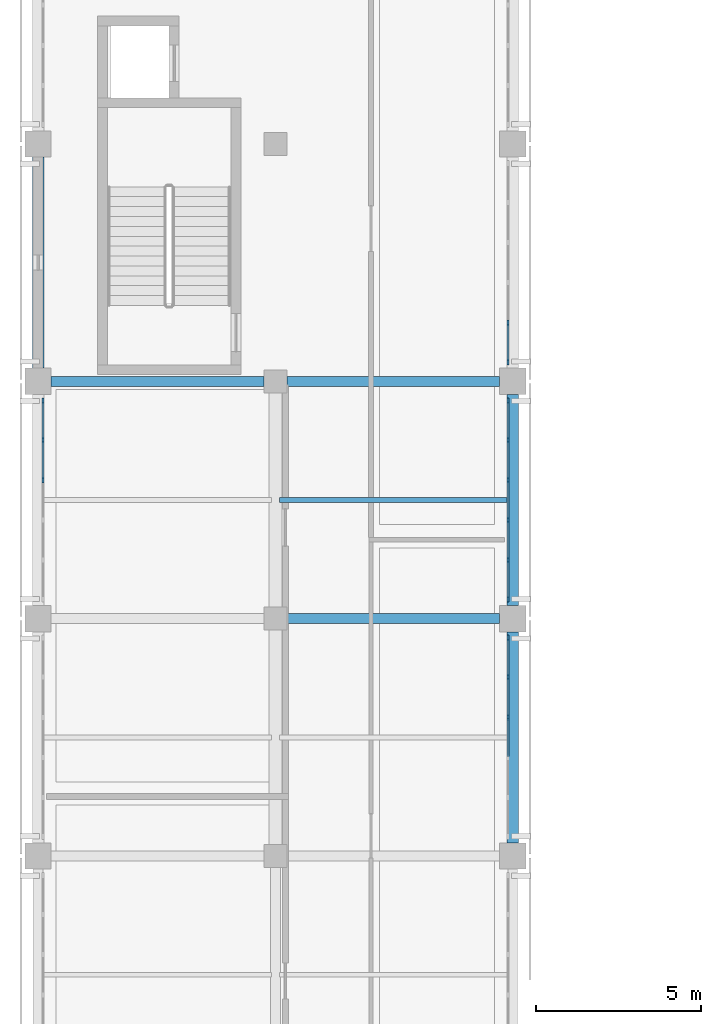
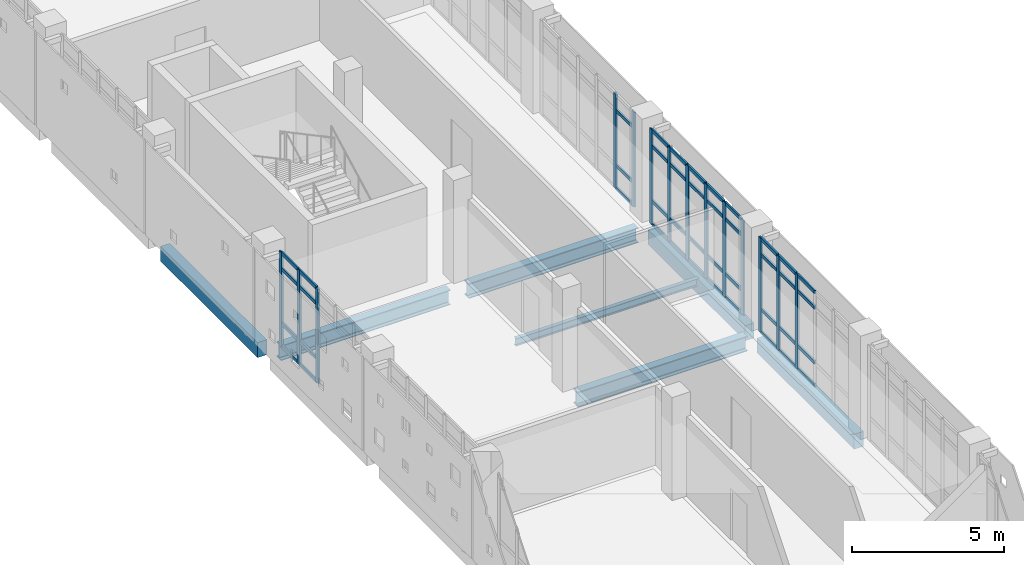
# One storey, part 12 of 33: 57 members, 7 beams, 4 elements without a shape of their own.
"""IFC4 building model written with IfcOpenShell, lengths in metres."""

from ifc_helpers import new_model, si_unit, direction, frame, origin, origin_2d, place, context, subcontext, project, spatial, rectangle, i_section, extrude, material, layer, layer_set, material_profile, profile_set, type_object, element, aggregate, save


model = new_model("IFC4")

# Units and contexts
model_context = context("Model", 3, precision=1e-05, world=origin(), true_north=direction((0.0, 1.0)))
body_context = subcontext(model_context, "Body", "Model", "MODEL_VIEW")
ifc_project = project(units=[si_unit("LENGTHUNIT", "METRE"), si_unit("AREAUNIT", "SQUARE_METRE"), si_unit("VOLUMEUNIT", "CUBIC_METRE"), si_unit("PLANEANGLEUNIT", "RADIAN"), si_unit("MASSUNIT", "GRAM", prefix="KILO")], contexts=[model_context])

# Site, building, storey
site_placement = place(None, origin())
site = spatial("IfcSite", under=ifc_project, at=site_placement, CompositionType="ELEMENT")
building_placement = place(site_placement, origin())
building = spatial("IfcBuilding", under=site, at=building_placement, Name="Valkovuoma Quantum and Materials Research Institute", CompositionType="ELEMENT")
storey_placement = place(building_placement, frame((0.0, 0.0, 25.60009765625)))
storey = spatial("IfcBuildingStorey", under=building, at=storey_placement, Name="L06", CompositionType="ELEMENT", Elevation=25.60009765625)

# Beams
ifc_material_1 = material(Name="Steel S355J2", Category="steel")
ifc_material_profile_1 = material_profile(ifc_material_1, i_section(OverallWidth=0.300048828125, OverallDepth=0.60009765625, WebThickness=0.015380859375, FlangeThickness=0.030029296875, FilletRadius=0.027099609375, at=origin_2d()), Name="Steel S355J2")
ifc_profile_set_1 = profile_set([ifc_material_profile_1], Name="Steel S355J2")
beam_type_1 = type_object("IfcBeamType", Name="Beam-B-HEB600", PredefinedType="BEAM", material=ifc_profile_set_1)
beam_1_placement = place(storey_placement, frame((7.550048828125, 64.800048828125, -0.650146484375), z_axis=(1.0, 0.0, 0.0), x_axis=(0.0, 1.0, 0.0)))
element("IfcBeam", 1, at=beam_1_placement, inside=storey, type_object=beam_type_1, Name="L06 beam X-2338", PredefinedType="BEAM", context=body_context, shape_type="SweptSolid", body=[
    extrude(i_section(OverallWidth=0.300048828125, OverallDepth=0.60009765625, WebThickness=0.015380859375, FlangeThickness=0.030029296875, FilletRadius=0.027099609375, at=origin_2d()), origin(), (0.0, 0.0, 1.0), 6.449951171875),
])
beam_2_placement = place(storey_placement, frame((0.39990234375, 72.0, -0.650146484375), z_axis=(1.0, 0.0, 0.0), x_axis=(0.0, 1.0, 0.0)))
element("IfcBeam", 2, at=beam_2_placement, inside=storey, type_object=beam_type_1, Name="L06 beam X-2343", PredefinedType="BEAM", context=body_context, shape_type="SweptSolid", body=[
    extrude(i_section(OverallWidth=0.300048828125, OverallDepth=0.60009765625, WebThickness=0.015380859375, FlangeThickness=0.030029296875, FilletRadius=0.027099609375, at=origin_2d()), origin(), (0.0, 0.0, 1.0), 6.4501953125),
])
beam_3_placement = place(storey_placement, frame((7.550048828125, 72.0, -0.650146484375), z_axis=(1.0, 0.0, 0.0), x_axis=(0.0, 1.0, 0.0)))
element("IfcBeam", 3, at=beam_3_placement, inside=storey, type_object=beam_type_1, Name="L06 beam X-2344", PredefinedType="BEAM", context=body_context, shape_type="SweptSolid", body=[
    extrude(i_section(OverallWidth=0.300048828125, OverallDepth=0.60009765625, WebThickness=0.015380859375, FlangeThickness=0.030029296875, FilletRadius=0.027099609375, at=origin_2d()), origin(), (0.0, 0.0, 1.0), 6.449951171875),
])
ifc_material_2 = material(Name="Steel S355J2", Category="steel")
ifc_material_profile_2 = material_profile(ifc_material_2, i_section(OverallWidth=0.14990234375, OverallDepth=0.300048828125, WebThickness=0.007080078125, FlangeThickness=0.0107421875, FilletRadius=0.014892578125, at=origin_2d()), Name="Steel S355J2")
ifc_profile_set_2 = profile_set([ifc_material_profile_2], Name="Steel S355J2")
beam_type_2 = type_object("IfcBeamType", Name="Beam-B-JST300", PredefinedType="JOIST", material=ifc_profile_set_2)
beam_4_placement = place(storey_placement, frame((7.320068359375, 68.39990234375, -0.5), z_axis=(1.0, 0.0, 0.0), x_axis=(0.0, 1.0, 0.0)))
element("IfcBeam", 4, at=beam_4_placement, inside=storey, type_object=beam_type_2, Name="L06 floor joist 2455", PredefinedType="JOIST", context=body_context, shape_type="SweptSolid", body=[
    extrude(i_section(OverallWidth=0.14990234375, OverallDepth=0.300048828125, WebThickness=0.007080078125, FlangeThickness=0.0107421875, FilletRadius=0.014892578125, at=origin_2d()), origin(), (0.0, 0.0, 1.0), 6.9599609375),
])
ifc_material_3 = material(Name="Concrete C40/50", Category="concrete")
ifc_material_profile_3 = material_profile(ifc_material_3, rectangle(XDim=0.35009765625, YDim=0.60009765625, at=origin_2d()), Name="Concrete C40/50")
ifc_profile_set_3 = profile_set([ifc_material_profile_3], Name="Concrete C40/50")
beam_type_3 = type_object("IfcBeamType", Name="Beam-B-SPN600", PredefinedType="SPANDREL", material=ifc_profile_set_3)
beam_5_placement = place(storey_placement, frame((0.0, 72.39990234375, -0.650146484375), z_axis=(0.0, 1.0, 0.0), x_axis=(-1.0, 0.0, 0.0)))
element("IfcBeam", 5, at=beam_5_placement, inside=storey, type_object=beam_type_3, Name="L06 beam Y-2386", PredefinedType="SPANDREL", context=body_context, shape_type="SweptSolid", body=[
    extrude(rectangle(XDim=0.35009765625, YDim=0.60009765625, at=origin_2d()), origin(), (0.0, 0.0, 1.0), 6.400146484375),
])
beam_6_placement = place(storey_placement, frame((14.39990234375, 58.0, -0.650146484375), z_axis=(0.0, 1.0, 0.0), x_axis=(-1.0, 0.0, 0.0)))
element("IfcBeam", 6, at=beam_6_placement, inside=storey, type_object=beam_type_3, Name="L06 beam Y-2392", PredefinedType="SPANDREL", context=body_context, shape_type="SweptSolid", body=[
    extrude(rectangle(XDim=0.35009765625, YDim=0.60009765625, at=origin_2d()), origin(), (0.0, 0.0, 1.0), 6.39990234375),
])
beam_7_placement = place(storey_placement, frame((14.39990234375, 65.199951171875, -0.650146484375), z_axis=(0.0, 1.0, 0.0), x_axis=(-1.0, 0.0, 0.0)))
element("IfcBeam", 7, at=beam_7_placement, inside=storey, type_object=beam_type_3, Name="L06 beam Y-2393", PredefinedType="SPANDREL", context=body_context, shape_type="SweptSolid", body=[
    extrude(rectangle(XDim=0.35009765625, YDim=0.60009765625, at=origin_2d()), origin(), (0.0, 0.0, 1.0), 6.400146484375),
])

# Curtain wall, members
ifc_material_4 = material(Name="Thermally broken aluminium and triple low-E glazing", Category="aluminium")
ifc_layer = layer(ifc_material_4, 0.219970703125)
ifc_layer_set = layer_set([ifc_layer], Name="Thermally broken aluminium and triple low-E glazing")
curtain_wall_type = type_object("IfcCurtainWallType", Name="CW-CW-01", PredefinedType="NOTDEFINED", material=ifc_layer_set)
curtain_wall_1_placement = place(storey_placement, origin())
curtain_wall_1 = element("IfcCurtainWall", 8, at=curtain_wall_1_placement, inside=storey, type_object=curtain_wall_type, Name="L06 curtain wall 083", PredefinedType="NOTDEFINED")
ifc_material_5 = material(Name="Anodised aluminium 6060-T66", Category="aluminium")
ifc_material_profile_4 = material_profile(ifc_material_5, rectangle(XDim=0.06494140625, YDim=0.179931640625, at=origin_2d()), Name="Anodised aluminium 6060-T66")
ifc_profile_set_4 = profile_set([ifc_material_profile_4], Name="Anodised aluminium 6060-T66")
member_type_1 = type_object("IfcMemberType", Name="CWMull-CWM-01", PredefinedType="MULLION", material=ifc_profile_set_4)
member_1_placement = place(storey_placement, frame((14.25, 61.80859375, 0.0), z_axis=(0.0, 0.0, 1.0), x_axis=(-1.0, 0.0, 0.0)))
member_1 = element("IfcMember", 9, at=member_1_placement, type_object=member_type_1, Name="CW-01 mullion 4", PredefinedType="MULLION", context=body_context, shape_type="SweptSolid", body=[
    extrude(rectangle(XDim=0.06494140625, YDim=0.179931640625, at=origin_2d()), origin(), (0.0, 0.0, 1.0), 3.809814453125),
])
member_2_placement = place(storey_placement, frame((14.25, 63.025634765625, 0.0), z_axis=(0.0, 0.0, 1.0), x_axis=(-1.0, 0.0, 0.0)))
member_2 = element("IfcMember", 10, at=member_2_placement, type_object=member_type_1, Name="CW-01 mullion 5", PredefinedType="MULLION", context=body_context, shape_type="SweptSolid", body=[
    extrude(rectangle(XDim=0.06494140625, YDim=0.179931640625, at=origin_2d()), origin(), (0.0, 0.0, 1.0), 3.809814453125),
])
member_3_placement = place(storey_placement, frame((14.25, 64.21044921875, 0.0), z_axis=(0.0, 0.0, 1.0), x_axis=(-1.0, 0.0, 0.0)))
member_3 = element("IfcMember", 11, at=member_3_placement, type_object=member_type_1, Name="CW-01 mullion 6", PredefinedType="MULLION", context=body_context, shape_type="SweptSolid", body=[
    extrude(rectangle(XDim=0.06494140625, YDim=0.179931640625, at=origin_2d()), origin(), (0.0, 0.0, 1.0), 3.809814453125),
])

curtain_wall_2_placement = place(storey_placement, origin())
curtain_wall_2 = element("IfcCurtainWall", 12, at=curtain_wall_2_placement, inside=storey, type_object=curtain_wall_type, Name="L06 curtain wall 084", PredefinedType="NOTDEFINED")
member_4_placement = place(storey_placement, frame((0.14990234375, 69.008544921875, 0.0), z_axis=(0.0, 0.0, 1.0), x_axis=(-1.0, 0.0, 0.0)))
member_4 = element("IfcMember", 13, at=member_4_placement, type_object=member_type_1, Name="CW-01 mullion 4", PredefinedType="MULLION", context=body_context, shape_type="SweptSolid", body=[
    extrude(rectangle(XDim=0.06494140625, YDim=0.179931640625, at=origin_2d()), origin(), (0.0, 0.0, 1.0), 3.809814453125),
])
member_5_placement = place(storey_placement, frame((0.14990234375, 70.225830078125, 0.0), z_axis=(0.0, 0.0, 1.0), x_axis=(-1.0, 0.0, 0.0)))
member_5 = element("IfcMember", 14, at=member_5_placement, type_object=member_type_1, Name="CW-01 mullion 5", PredefinedType="MULLION", context=body_context, shape_type="SweptSolid", body=[
    extrude(rectangle(XDim=0.06494140625, YDim=0.179931640625, at=origin_2d()), origin(), (0.0, 0.0, 1.0), 3.809814453125),
])
member_6_placement = place(storey_placement, frame((0.14990234375, 71.410400390625, 0.0), z_axis=(0.0, 0.0, 1.0), x_axis=(-1.0, 0.0, 0.0)))
member_6 = element("IfcMember", 15, at=member_6_placement, type_object=member_type_1, Name="CW-01 mullion 6", PredefinedType="MULLION", context=body_context, shape_type="SweptSolid", body=[
    extrude(rectangle(XDim=0.06494140625, YDim=0.179931640625, at=origin_2d()), origin(), (0.0, 0.0, 1.0), 3.809814453125),
])

curtain_wall_3_placement = place(storey_placement, origin())
curtain_wall_3 = element("IfcCurtainWall", 16, at=curtain_wall_3_placement, inside=storey, type_object=curtain_wall_type, Name="L06 curtain wall 085", PredefinedType="NOTDEFINED")
member_7_placement = place(storey_placement, frame((14.25, 65.3896484375, 0.0), z_axis=(0.0, 0.0, 1.0), x_axis=(-1.0, 0.0, 0.0)))
member_7 = element("IfcMember", 17, at=member_7_placement, type_object=member_type_1, Name="CW-01 mullion 1", PredefinedType="MULLION", context=body_context, shape_type="SweptSolid", body=[
    extrude(rectangle(XDim=0.06494140625, YDim=0.179931640625, at=origin_2d()), origin(), (0.0, 0.0, 1.0), 3.809814453125),
])
member_8_placement = place(storey_placement, frame((14.25, 66.57421875, 0.0), z_axis=(0.0, 0.0, 1.0), x_axis=(-1.0, 0.0, 0.0)))
member_8 = element("IfcMember", 18, at=member_8_placement, type_object=member_type_1, Name="CW-01 mullion 2", PredefinedType="MULLION", context=body_context, shape_type="SweptSolid", body=[
    extrude(rectangle(XDim=0.06494140625, YDim=0.179931640625, at=origin_2d()), origin(), (0.0, 0.0, 1.0), 3.809814453125),
])
member_9_placement = place(storey_placement, frame((14.25, 67.79150390625, 0.0), z_axis=(0.0, 0.0, 1.0), x_axis=(-1.0, 0.0, 0.0)))
member_9 = element("IfcMember", 19, at=member_9_placement, type_object=member_type_1, Name="CW-01 mullion 3", PredefinedType="MULLION", context=body_context, shape_type="SweptSolid", body=[
    extrude(rectangle(XDim=0.06494140625, YDim=0.179931640625, at=origin_2d()), origin(), (0.0, 0.0, 1.0), 3.809814453125),
])
member_10_placement = place(storey_placement, frame((14.25, 69.008544921875, 0.0), z_axis=(0.0, 0.0, 1.0), x_axis=(-1.0, 0.0, 0.0)))
member_10 = element("IfcMember", 20, at=member_10_placement, type_object=member_type_1, Name="CW-01 mullion 4", PredefinedType="MULLION", context=body_context, shape_type="SweptSolid", body=[
    extrude(rectangle(XDim=0.06494140625, YDim=0.179931640625, at=origin_2d()), origin(), (0.0, 0.0, 1.0), 3.809814453125),
])
member_11_placement = place(storey_placement, frame((14.25, 70.225830078125, 0.0), z_axis=(0.0, 0.0, 1.0), x_axis=(-1.0, 0.0, 0.0)))
member_11 = element("IfcMember", 21, at=member_11_placement, type_object=member_type_1, Name="CW-01 mullion 5", PredefinedType="MULLION", context=body_context, shape_type="SweptSolid", body=[
    extrude(rectangle(XDim=0.06494140625, YDim=0.179931640625, at=origin_2d()), origin(), (0.0, 0.0, 1.0), 3.809814453125),
])
member_12_placement = place(storey_placement, frame((14.25, 71.410400390625, 0.0), z_axis=(0.0, 0.0, 1.0), x_axis=(-1.0, 0.0, 0.0)))
member_12 = element("IfcMember", 22, at=member_12_placement, type_object=member_type_1, Name="CW-01 mullion 6", PredefinedType="MULLION", context=body_context, shape_type="SweptSolid", body=[
    extrude(rectangle(XDim=0.06494140625, YDim=0.179931640625, at=origin_2d()), origin(), (0.0, 0.0, 1.0), 3.809814453125),
])

curtain_wall_4_placement = place(storey_placement, origin())
curtain_wall_4 = element("IfcCurtainWall", 23, at=curtain_wall_4_placement, inside=storey, type_object=curtain_wall_type, Name="L06 curtain wall 086", PredefinedType="NOTDEFINED")
member_13_placement = place(storey_placement, frame((14.25, 72.589599609375, 0.0), z_axis=(0.0, 0.0, 1.0), x_axis=(-1.0, 0.0, 0.0)))
member_13 = element("IfcMember", 24, at=member_13_placement, type_object=member_type_1, Name="CW-01 mullion 1", PredefinedType="MULLION", context=body_context, shape_type="SweptSolid", body=[
    extrude(rectangle(XDim=0.06494140625, YDim=0.179931640625, at=origin_2d()), origin(), (0.0, 0.0, 1.0), 3.809814453125),
])
member_14_placement = place(storey_placement, frame((14.25, 73.774169921875, 0.0), z_axis=(0.0, 0.0, 1.0), x_axis=(-1.0, 0.0, 0.0)))
member_14 = element("IfcMember", 25, at=member_14_placement, type_object=member_type_1, Name="CW-01 mullion 2", PredefinedType="MULLION", context=body_context, shape_type="SweptSolid", body=[
    extrude(rectangle(XDim=0.06494140625, YDim=0.179931640625, at=origin_2d()), origin(), (0.0, 0.0, 1.0), 3.809814453125),
])

# Member
ifc_material_6 = material(Name="Anodised aluminium 6060-T66", Category="aluminium")
ifc_material_profile_5 = material_profile(ifc_material_6, rectangle(XDim=0.06494140625, YDim=0.139892578125, at=origin_2d()), Name="Anodised aluminium 6060-T66")
ifc_profile_set_5 = profile_set([ifc_material_profile_5], Name="Anodised aluminium 6060-T66")
member_type_2 = type_object("IfcMemberType", Name="CWTran-CWT-01", PredefinedType="USERDEFINED", material=ifc_profile_set_5)
member_15_placement = place(storey_placement, frame((14.25, 60.6240234375, 0.032470703125), z_axis=(0.0, 1.0, 0.0), x_axis=(-1.0, 0.0, 0.0)))
member_15 = element("IfcMember", 26, at=member_15_placement, type_object=member_type_2, Name="CW-01 transom 3.1", ObjectType="TRANSOM", PredefinedType="USERDEFINED", context=body_context, shape_type="SweptSolid", body=[
    extrude(rectangle(XDim=0.06494140625, YDim=0.139892578125, at=origin_2d()), origin(), (0.0, 0.0, 1.0), 1.152099609375),
])

member_16_placement = place(storey_placement, frame((14.25, 60.6240234375, 0.949951171875), z_axis=(0.0, 1.0, 0.0), x_axis=(-1.0, 0.0, 0.0)))
member_16 = element("IfcMember", 27, at=member_16_placement, type_object=member_type_2, Name="CW-01 transom 3.2", ObjectType="TRANSOM", PredefinedType="USERDEFINED", context=body_context, shape_type="SweptSolid", body=[
    extrude(rectangle(XDim=0.06494140625, YDim=0.139892578125, at=origin_2d()), origin(), (0.0, 0.0, 1.0), 1.152099609375),
])

member_17_placement = place(storey_placement, frame((14.25, 60.6240234375, 3.159912109375), z_axis=(0.0, 1.0, 0.0), x_axis=(-1.0, 0.0, 0.0)))
member_17 = element("IfcMember", 28, at=member_17_placement, type_object=member_type_2, Name="CW-01 transom 3.3", ObjectType="TRANSOM", PredefinedType="USERDEFINED", context=body_context, shape_type="SweptSolid", body=[
    extrude(rectangle(XDim=0.06494140625, YDim=0.139892578125, at=origin_2d()), origin(), (0.0, 0.0, 1.0), 1.152099609375),
])

member_18_placement = place(storey_placement, frame((14.25, 60.6240234375, 3.77734375), z_axis=(0.0, 1.0, 0.0), x_axis=(-1.0, 0.0, 0.0)))
member_18 = element("IfcMember", 29, at=member_18_placement, type_object=member_type_2, Name="CW-01 transom 3.4", ObjectType="TRANSOM", PredefinedType="USERDEFINED", context=body_context, shape_type="SweptSolid", body=[
    extrude(rectangle(XDim=0.06494140625, YDim=0.139892578125, at=origin_2d()), origin(), (0.0, 0.0, 1.0), 1.152099609375),
])

member_19_placement = place(storey_placement, frame((14.25, 61.841064453125, 0.032470703125), z_axis=(0.0, 1.0, 0.0), x_axis=(-1.0, 0.0, 0.0)))
member_19 = element("IfcMember", 30, at=member_19_placement, type_object=member_type_2, Name="CW-01 transom 4.1", ObjectType="TRANSOM", PredefinedType="USERDEFINED", context=body_context, shape_type="SweptSolid", body=[
    extrude(rectangle(XDim=0.06494140625, YDim=0.139892578125, at=origin_2d()), origin(), (0.0, 0.0, 1.0), 1.152099609375),
])

member_20_placement = place(storey_placement, frame((14.25, 61.841064453125, 0.949951171875), z_axis=(0.0, 1.0, 0.0), x_axis=(-1.0, 0.0, 0.0)))
member_20 = element("IfcMember", 31, at=member_20_placement, type_object=member_type_2, Name="CW-01 transom 4.2", ObjectType="TRANSOM", PredefinedType="USERDEFINED", context=body_context, shape_type="SweptSolid", body=[
    extrude(rectangle(XDim=0.06494140625, YDim=0.139892578125, at=origin_2d()), origin(), (0.0, 0.0, 1.0), 1.152099609375),
])

member_21_placement = place(storey_placement, frame((14.25, 61.841064453125, 3.159912109375), z_axis=(0.0, 1.0, 0.0), x_axis=(-1.0, 0.0, 0.0)))
member_21 = element("IfcMember", 32, at=member_21_placement, type_object=member_type_2, Name="CW-01 transom 4.3", ObjectType="TRANSOM", PredefinedType="USERDEFINED", context=body_context, shape_type="SweptSolid", body=[
    extrude(rectangle(XDim=0.06494140625, YDim=0.139892578125, at=origin_2d()), origin(), (0.0, 0.0, 1.0), 1.152099609375),
])

member_22_placement = place(storey_placement, frame((14.25, 61.841064453125, 3.77734375), z_axis=(0.0, 1.0, 0.0), x_axis=(-1.0, 0.0, 0.0)))
member_22 = element("IfcMember", 33, at=member_22_placement, type_object=member_type_2, Name="CW-01 transom 4.4", ObjectType="TRANSOM", PredefinedType="USERDEFINED", context=body_context, shape_type="SweptSolid", body=[
    extrude(rectangle(XDim=0.06494140625, YDim=0.139892578125, at=origin_2d()), origin(), (0.0, 0.0, 1.0), 1.152099609375),
])

member_23_placement = place(storey_placement, frame((14.25, 63.058349609375, 0.032470703125), z_axis=(0.0, 1.0, 0.0), x_axis=(-1.0, 0.0, 0.0)))
member_23 = element("IfcMember", 34, at=member_23_placement, type_object=member_type_2, Name="CW-01 transom 5.1", ObjectType="TRANSOM", PredefinedType="USERDEFINED", context=body_context, shape_type="SweptSolid", body=[
    extrude(rectangle(XDim=0.06494140625, YDim=0.139892578125, at=origin_2d()), origin(), (0.0, 0.0, 1.0), 1.11962890625),
])

member_24_placement = place(storey_placement, frame((14.25, 63.058349609375, 0.949951171875), z_axis=(0.0, 1.0, 0.0), x_axis=(-1.0, 0.0, 0.0)))
member_24 = element("IfcMember", 35, at=member_24_placement, type_object=member_type_2, Name="CW-01 transom 5.2", ObjectType="TRANSOM", PredefinedType="USERDEFINED", context=body_context, shape_type="SweptSolid", body=[
    extrude(rectangle(XDim=0.06494140625, YDim=0.139892578125, at=origin_2d()), origin(), (0.0, 0.0, 1.0), 1.11962890625),
])

member_25_placement = place(storey_placement, frame((14.25, 63.058349609375, 3.159912109375), z_axis=(0.0, 1.0, 0.0), x_axis=(-1.0, 0.0, 0.0)))
member_25 = element("IfcMember", 36, at=member_25_placement, type_object=member_type_2, Name="CW-01 transom 5.3", ObjectType="TRANSOM", PredefinedType="USERDEFINED", context=body_context, shape_type="SweptSolid", body=[
    extrude(rectangle(XDim=0.06494140625, YDim=0.139892578125, at=origin_2d()), origin(), (0.0, 0.0, 1.0), 1.11962890625),
])

member_26_placement = place(storey_placement, frame((14.25, 63.058349609375, 3.77734375), z_axis=(0.0, 1.0, 0.0), x_axis=(-1.0, 0.0, 0.0)))
member_26 = element("IfcMember", 37, at=member_26_placement, type_object=member_type_2, Name="CW-01 transom 5.4", ObjectType="TRANSOM", PredefinedType="USERDEFINED", context=body_context, shape_type="SweptSolid", body=[
    extrude(rectangle(XDim=0.06494140625, YDim=0.139892578125, at=origin_2d()), origin(), (0.0, 0.0, 1.0), 1.11962890625),
])

aggregate(curtain_wall_1, [member_1, member_2, member_3, member_15, member_16, member_17, member_18, member_19, member_20, member_21, member_22, member_23, member_24, member_25, member_26])

member_27_placement = place(storey_placement, frame((0.14990234375, 69.041015625, 0.032470703125), z_axis=(0.0, 1.0, 0.0), x_axis=(-1.0, 0.0, 0.0)))
member_27 = element("IfcMember", 38, at=member_27_placement, type_object=member_type_2, Name="CW-01 transom 4.1", ObjectType="TRANSOM", PredefinedType="USERDEFINED", context=body_context, shape_type="SweptSolid", body=[
    extrude(rectangle(XDim=0.06494140625, YDim=0.139892578125, at=origin_2d()), origin(), (0.0, 0.0, 1.0), 1.15234375),
])

member_28_placement = place(storey_placement, frame((0.14990234375, 69.041015625, 0.949951171875), z_axis=(0.0, 1.0, 0.0), x_axis=(-1.0, 0.0, 0.0)))
member_28 = element("IfcMember", 39, at=member_28_placement, type_object=member_type_2, Name="CW-01 transom 4.2", ObjectType="TRANSOM", PredefinedType="USERDEFINED", context=body_context, shape_type="SweptSolid", body=[
    extrude(rectangle(XDim=0.06494140625, YDim=0.139892578125, at=origin_2d()), origin(), (0.0, 0.0, 1.0), 1.15234375),
])

member_29_placement = place(storey_placement, frame((0.14990234375, 69.041015625, 3.159912109375), z_axis=(0.0, 1.0, 0.0), x_axis=(-1.0, 0.0, 0.0)))
member_29 = element("IfcMember", 40, at=member_29_placement, type_object=member_type_2, Name="CW-01 transom 4.3", ObjectType="TRANSOM", PredefinedType="USERDEFINED", context=body_context, shape_type="SweptSolid", body=[
    extrude(rectangle(XDim=0.06494140625, YDim=0.139892578125, at=origin_2d()), origin(), (0.0, 0.0, 1.0), 1.15234375),
])

member_30_placement = place(storey_placement, frame((0.14990234375, 69.041015625, 3.77734375), z_axis=(0.0, 1.0, 0.0), x_axis=(-1.0, 0.0, 0.0)))
member_30 = element("IfcMember", 41, at=member_30_placement, type_object=member_type_2, Name="CW-01 transom 4.4", ObjectType="TRANSOM", PredefinedType="USERDEFINED", context=body_context, shape_type="SweptSolid", body=[
    extrude(rectangle(XDim=0.06494140625, YDim=0.139892578125, at=origin_2d()), origin(), (0.0, 0.0, 1.0), 1.15234375),
])

member_31_placement = place(storey_placement, frame((0.14990234375, 70.25830078125, 0.032470703125), z_axis=(0.0, 1.0, 0.0), x_axis=(-1.0, 0.0, 0.0)))
member_31 = element("IfcMember", 42, at=member_31_placement, type_object=member_type_2, Name="CW-01 transom 5.1", ObjectType="TRANSOM", PredefinedType="USERDEFINED", context=body_context, shape_type="SweptSolid", body=[
    extrude(rectangle(XDim=0.06494140625, YDim=0.139892578125, at=origin_2d()), origin(), (0.0, 0.0, 1.0), 1.11962890625),
])

member_32_placement = place(storey_placement, frame((0.14990234375, 70.25830078125, 0.949951171875), z_axis=(0.0, 1.0, 0.0), x_axis=(-1.0, 0.0, 0.0)))
member_32 = element("IfcMember", 43, at=member_32_placement, type_object=member_type_2, Name="CW-01 transom 5.2", ObjectType="TRANSOM", PredefinedType="USERDEFINED", context=body_context, shape_type="SweptSolid", body=[
    extrude(rectangle(XDim=0.06494140625, YDim=0.139892578125, at=origin_2d()), origin(), (0.0, 0.0, 1.0), 1.11962890625),
])

member_33_placement = place(storey_placement, frame((0.14990234375, 70.25830078125, 3.159912109375), z_axis=(0.0, 1.0, 0.0), x_axis=(-1.0, 0.0, 0.0)))
member_33 = element("IfcMember", 44, at=member_33_placement, type_object=member_type_2, Name="CW-01 transom 5.3", ObjectType="TRANSOM", PredefinedType="USERDEFINED", context=body_context, shape_type="SweptSolid", body=[
    extrude(rectangle(XDim=0.06494140625, YDim=0.139892578125, at=origin_2d()), origin(), (0.0, 0.0, 1.0), 1.11962890625),
])

member_34_placement = place(storey_placement, frame((0.14990234375, 70.25830078125, 3.77734375), z_axis=(0.0, 1.0, 0.0), x_axis=(-1.0, 0.0, 0.0)))
member_34 = element("IfcMember", 45, at=member_34_placement, type_object=member_type_2, Name="CW-01 transom 5.4", ObjectType="TRANSOM", PredefinedType="USERDEFINED", context=body_context, shape_type="SweptSolid", body=[
    extrude(rectangle(XDim=0.06494140625, YDim=0.139892578125, at=origin_2d()), origin(), (0.0, 0.0, 1.0), 1.11962890625),
])

aggregate(curtain_wall_2, [member_4, member_5, member_6, member_27, member_28, member_29, member_30, member_31, member_32, member_33, member_34])

member_35_placement = place(storey_placement, frame((14.25, 65.422119140625, 0.032470703125), z_axis=(0.0, 1.0, 0.0), x_axis=(-1.0, 0.0, 0.0)))
member_35 = element("IfcMember", 46, at=member_35_placement, type_object=member_type_2, Name="CW-01 transom 1.1", ObjectType="TRANSOM", PredefinedType="USERDEFINED", context=body_context, shape_type="SweptSolid", body=[
    extrude(rectangle(XDim=0.06494140625, YDim=0.139892578125, at=origin_2d()), origin(), (0.0, 0.0, 1.0), 1.11962890625),
])

member_36_placement = place(storey_placement, frame((14.25, 65.422119140625, 0.949951171875), z_axis=(0.0, 1.0, 0.0), x_axis=(-1.0, 0.0, 0.0)))
member_36 = element("IfcMember", 47, at=member_36_placement, type_object=member_type_2, Name="CW-01 transom 1.2", ObjectType="TRANSOM", PredefinedType="USERDEFINED", context=body_context, shape_type="SweptSolid", body=[
    extrude(rectangle(XDim=0.06494140625, YDim=0.139892578125, at=origin_2d()), origin(), (0.0, 0.0, 1.0), 1.11962890625),
])

member_37_placement = place(storey_placement, frame((14.25, 65.422119140625, 3.159912109375), z_axis=(0.0, 1.0, 0.0), x_axis=(-1.0, 0.0, 0.0)))
member_37 = element("IfcMember", 48, at=member_37_placement, type_object=member_type_2, Name="CW-01 transom 1.3", ObjectType="TRANSOM", PredefinedType="USERDEFINED", context=body_context, shape_type="SweptSolid", body=[
    extrude(rectangle(XDim=0.06494140625, YDim=0.139892578125, at=origin_2d()), origin(), (0.0, 0.0, 1.0), 1.11962890625),
])

member_38_placement = place(storey_placement, frame((14.25, 65.422119140625, 3.77734375), z_axis=(0.0, 1.0, 0.0), x_axis=(-1.0, 0.0, 0.0)))
member_38 = element("IfcMember", 49, at=member_38_placement, type_object=member_type_2, Name="CW-01 transom 1.4", ObjectType="TRANSOM", PredefinedType="USERDEFINED", context=body_context, shape_type="SweptSolid", body=[
    extrude(rectangle(XDim=0.06494140625, YDim=0.139892578125, at=origin_2d()), origin(), (0.0, 0.0, 1.0), 1.11962890625),
])

member_39_placement = place(storey_placement, frame((14.25, 66.606689453125, 0.032470703125), z_axis=(0.0, 1.0, 0.0), x_axis=(-1.0, 0.0, 0.0)))
member_39 = element("IfcMember", 50, at=member_39_placement, type_object=member_type_2, Name="CW-01 transom 2.1", ObjectType="TRANSOM", PredefinedType="USERDEFINED", context=body_context, shape_type="SweptSolid", body=[
    extrude(rectangle(XDim=0.06494140625, YDim=0.139892578125, at=origin_2d()), origin(), (0.0, 0.0, 1.0), 1.15234375),
])

member_40_placement = place(storey_placement, frame((14.25, 66.606689453125, 0.949951171875), z_axis=(0.0, 1.0, 0.0), x_axis=(-1.0, 0.0, 0.0)))
member_40 = element("IfcMember", 51, at=member_40_placement, type_object=member_type_2, Name="CW-01 transom 2.2", ObjectType="TRANSOM", PredefinedType="USERDEFINED", context=body_context, shape_type="SweptSolid", body=[
    extrude(rectangle(XDim=0.06494140625, YDim=0.139892578125, at=origin_2d()), origin(), (0.0, 0.0, 1.0), 1.15234375),
])

member_41_placement = place(storey_placement, frame((14.25, 66.606689453125, 3.159912109375), z_axis=(0.0, 1.0, 0.0), x_axis=(-1.0, 0.0, 0.0)))
member_41 = element("IfcMember", 52, at=member_41_placement, type_object=member_type_2, Name="CW-01 transom 2.3", ObjectType="TRANSOM", PredefinedType="USERDEFINED", context=body_context, shape_type="SweptSolid", body=[
    extrude(rectangle(XDim=0.06494140625, YDim=0.139892578125, at=origin_2d()), origin(), (0.0, 0.0, 1.0), 1.15234375),
])

member_42_placement = place(storey_placement, frame((14.25, 66.606689453125, 3.77734375), z_axis=(0.0, 1.0, 0.0), x_axis=(-1.0, 0.0, 0.0)))
member_42 = element("IfcMember", 53, at=member_42_placement, type_object=member_type_2, Name="CW-01 transom 2.4", ObjectType="TRANSOM", PredefinedType="USERDEFINED", context=body_context, shape_type="SweptSolid", body=[
    extrude(rectangle(XDim=0.06494140625, YDim=0.139892578125, at=origin_2d()), origin(), (0.0, 0.0, 1.0), 1.15234375),
])

member_43_placement = place(storey_placement, frame((14.25, 67.823974609375, 0.032470703125), z_axis=(0.0, 1.0, 0.0), x_axis=(-1.0, 0.0, 0.0)))
member_43 = element("IfcMember", 54, at=member_43_placement, type_object=member_type_2, Name="CW-01 transom 3.1", ObjectType="TRANSOM", PredefinedType="USERDEFINED", context=body_context, shape_type="SweptSolid", body=[
    extrude(rectangle(XDim=0.06494140625, YDim=0.139892578125, at=origin_2d()), origin(), (0.0, 0.0, 1.0), 1.152099609375),
])

member_44_placement = place(storey_placement, frame((14.25, 67.823974609375, 0.949951171875), z_axis=(0.0, 1.0, 0.0), x_axis=(-1.0, 0.0, 0.0)))
member_44 = element("IfcMember", 55, at=member_44_placement, type_object=member_type_2, Name="CW-01 transom 3.2", ObjectType="TRANSOM", PredefinedType="USERDEFINED", context=body_context, shape_type="SweptSolid", body=[
    extrude(rectangle(XDim=0.06494140625, YDim=0.139892578125, at=origin_2d()), origin(), (0.0, 0.0, 1.0), 1.152099609375),
])

member_45_placement = place(storey_placement, frame((14.25, 67.823974609375, 3.159912109375), z_axis=(0.0, 1.0, 0.0), x_axis=(-1.0, 0.0, 0.0)))
member_45 = element("IfcMember", 56, at=member_45_placement, type_object=member_type_2, Name="CW-01 transom 3.3", ObjectType="TRANSOM", PredefinedType="USERDEFINED", context=body_context, shape_type="SweptSolid", body=[
    extrude(rectangle(XDim=0.06494140625, YDim=0.139892578125, at=origin_2d()), origin(), (0.0, 0.0, 1.0), 1.152099609375),
])

member_46_placement = place(storey_placement, frame((14.25, 67.823974609375, 3.77734375), z_axis=(0.0, 1.0, 0.0), x_axis=(-1.0, 0.0, 0.0)))
member_46 = element("IfcMember", 57, at=member_46_placement, type_object=member_type_2, Name="CW-01 transom 3.4", ObjectType="TRANSOM", PredefinedType="USERDEFINED", context=body_context, shape_type="SweptSolid", body=[
    extrude(rectangle(XDim=0.06494140625, YDim=0.139892578125, at=origin_2d()), origin(), (0.0, 0.0, 1.0), 1.152099609375),
])

member_47_placement = place(storey_placement, frame((14.25, 69.041015625, 0.032470703125), z_axis=(0.0, 1.0, 0.0), x_axis=(-1.0, 0.0, 0.0)))
member_47 = element("IfcMember", 58, at=member_47_placement, type_object=member_type_2, Name="CW-01 transom 4.1", ObjectType="TRANSOM", PredefinedType="USERDEFINED", context=body_context, shape_type="SweptSolid", body=[
    extrude(rectangle(XDim=0.06494140625, YDim=0.139892578125, at=origin_2d()), origin(), (0.0, 0.0, 1.0), 1.15234375),
])

member_48_placement = place(storey_placement, frame((14.25, 69.041015625, 0.949951171875), z_axis=(0.0, 1.0, 0.0), x_axis=(-1.0, 0.0, 0.0)))
member_48 = element("IfcMember", 59, at=member_48_placement, type_object=member_type_2, Name="CW-01 transom 4.2", ObjectType="TRANSOM", PredefinedType="USERDEFINED", context=body_context, shape_type="SweptSolid", body=[
    extrude(rectangle(XDim=0.06494140625, YDim=0.139892578125, at=origin_2d()), origin(), (0.0, 0.0, 1.0), 1.15234375),
])

member_49_placement = place(storey_placement, frame((14.25, 69.041015625, 3.159912109375), z_axis=(0.0, 1.0, 0.0), x_axis=(-1.0, 0.0, 0.0)))
member_49 = element("IfcMember", 60, at=member_49_placement, type_object=member_type_2, Name="CW-01 transom 4.3", ObjectType="TRANSOM", PredefinedType="USERDEFINED", context=body_context, shape_type="SweptSolid", body=[
    extrude(rectangle(XDim=0.06494140625, YDim=0.139892578125, at=origin_2d()), origin(), (0.0, 0.0, 1.0), 1.15234375),
])

member_50_placement = place(storey_placement, frame((14.25, 69.041015625, 3.77734375), z_axis=(0.0, 1.0, 0.0), x_axis=(-1.0, 0.0, 0.0)))
member_50 = element("IfcMember", 61, at=member_50_placement, type_object=member_type_2, Name="CW-01 transom 4.4", ObjectType="TRANSOM", PredefinedType="USERDEFINED", context=body_context, shape_type="SweptSolid", body=[
    extrude(rectangle(XDim=0.06494140625, YDim=0.139892578125, at=origin_2d()), origin(), (0.0, 0.0, 1.0), 1.15234375),
])

member_51_placement = place(storey_placement, frame((14.25, 70.25830078125, 0.032470703125), z_axis=(0.0, 1.0, 0.0), x_axis=(-1.0, 0.0, 0.0)))
member_51 = element("IfcMember", 62, at=member_51_placement, type_object=member_type_2, Name="CW-01 transom 5.1", ObjectType="TRANSOM", PredefinedType="USERDEFINED", context=body_context, shape_type="SweptSolid", body=[
    extrude(rectangle(XDim=0.06494140625, YDim=0.139892578125, at=origin_2d()), origin(), (0.0, 0.0, 1.0), 1.11962890625),
])

member_52_placement = place(storey_placement, frame((14.25, 70.25830078125, 0.949951171875), z_axis=(0.0, 1.0, 0.0), x_axis=(-1.0, 0.0, 0.0)))
member_52 = element("IfcMember", 63, at=member_52_placement, type_object=member_type_2, Name="CW-01 transom 5.2", ObjectType="TRANSOM", PredefinedType="USERDEFINED", context=body_context, shape_type="SweptSolid", body=[
    extrude(rectangle(XDim=0.06494140625, YDim=0.139892578125, at=origin_2d()), origin(), (0.0, 0.0, 1.0), 1.11962890625),
])

member_53_placement = place(storey_placement, frame((14.25, 70.25830078125, 3.159912109375), z_axis=(0.0, 1.0, 0.0), x_axis=(-1.0, 0.0, 0.0)))
member_53 = element("IfcMember", 64, at=member_53_placement, type_object=member_type_2, Name="CW-01 transom 5.3", ObjectType="TRANSOM", PredefinedType="USERDEFINED", context=body_context, shape_type="SweptSolid", body=[
    extrude(rectangle(XDim=0.06494140625, YDim=0.139892578125, at=origin_2d()), origin(), (0.0, 0.0, 1.0), 1.11962890625),
])

member_54_placement = place(storey_placement, frame((14.25, 70.25830078125, 3.77734375), z_axis=(0.0, 1.0, 0.0), x_axis=(-1.0, 0.0, 0.0)))
member_54 = element("IfcMember", 65, at=member_54_placement, type_object=member_type_2, Name="CW-01 transom 5.4", ObjectType="TRANSOM", PredefinedType="USERDEFINED", context=body_context, shape_type="SweptSolid", body=[
    extrude(rectangle(XDim=0.06494140625, YDim=0.139892578125, at=origin_2d()), origin(), (0.0, 0.0, 1.0), 1.11962890625),
])

aggregate(curtain_wall_3, [member_7, member_8, member_9, member_10, member_11, member_12, member_35, member_36, member_37, member_38, member_39, member_40, member_41, member_42, member_43, member_44, member_45, member_46, member_47, member_48, member_49, member_50, member_51, member_52, member_53, member_54])

member_55_placement = place(storey_placement, frame((14.25, 72.6220703125, 0.032470703125), z_axis=(0.0, 1.0, 0.0), x_axis=(-1.0, 0.0, 0.0)))
member_55 = element("IfcMember", 66, at=member_55_placement, type_object=member_type_2, Name="CW-01 transom 1.1", ObjectType="TRANSOM", PredefinedType="USERDEFINED", context=body_context, shape_type="SweptSolid", body=[
    extrude(rectangle(XDim=0.06494140625, YDim=0.139892578125, at=origin_2d()), origin(), (0.0, 0.0, 1.0), 1.11962890625),
])

member_56_placement = place(storey_placement, frame((14.25, 72.6220703125, 0.949951171875), z_axis=(0.0, 1.0, 0.0), x_axis=(-1.0, 0.0, 0.0)))
member_56 = element("IfcMember", 67, at=member_56_placement, type_object=member_type_2, Name="CW-01 transom 1.2", ObjectType="TRANSOM", PredefinedType="USERDEFINED", context=body_context, shape_type="SweptSolid", body=[
    extrude(rectangle(XDim=0.06494140625, YDim=0.139892578125, at=origin_2d()), origin(), (0.0, 0.0, 1.0), 1.11962890625),
])

member_57_placement = place(storey_placement, frame((14.25, 72.6220703125, 3.159912109375), z_axis=(0.0, 1.0, 0.0), x_axis=(-1.0, 0.0, 0.0)))
member_57 = element("IfcMember", 68, at=member_57_placement, type_object=member_type_2, Name="CW-01 transom 1.3", ObjectType="TRANSOM", PredefinedType="USERDEFINED", context=body_context, shape_type="SweptSolid", body=[
    extrude(rectangle(XDim=0.06494140625, YDim=0.139892578125, at=origin_2d()), origin(), (0.0, 0.0, 1.0), 1.11962890625),
])

aggregate(curtain_wall_4, [member_13, member_14, member_55, member_56, member_57])

save(model, "model.ifc")
